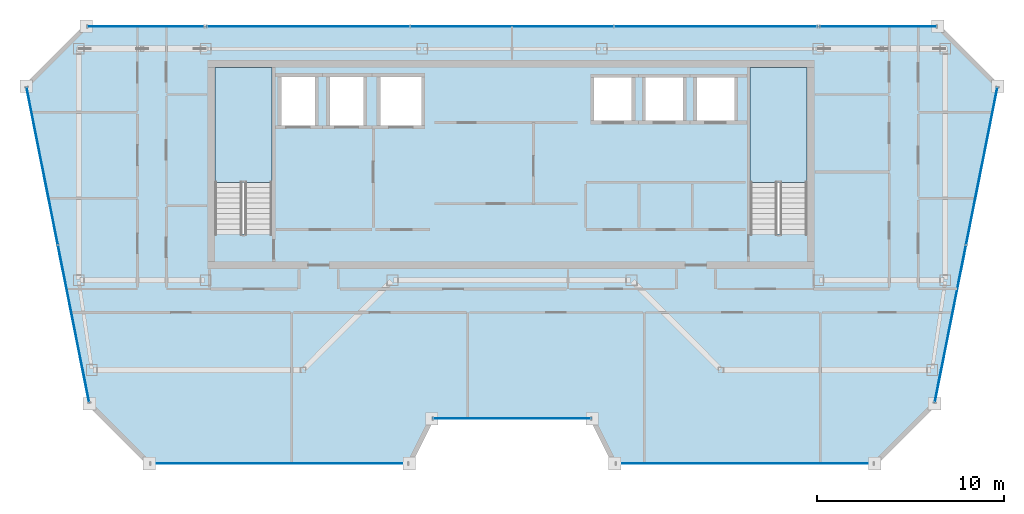
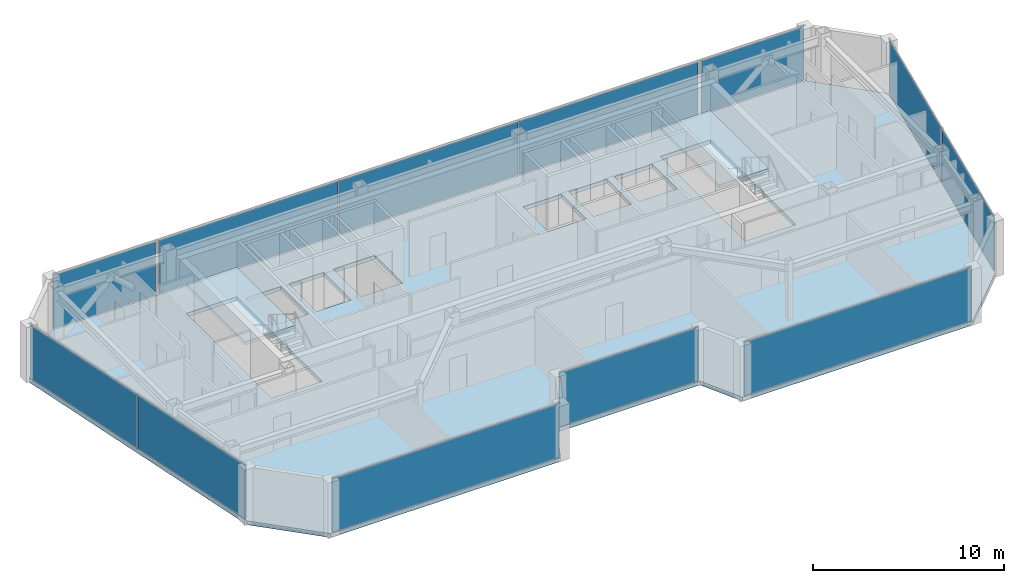
# One storey, part 17 of 24: 12 plates, 3 slabs, 10 elements without a shape of their own.
"""IFC4 building model written with IfcOpenShell, lengths in metres."""

from ifc_helpers import new_model, si_unit, direction, frame, origin, origin_2d, place, context, subcontext, project, spatial, polyline, rectangle, outline, extrude, material, layer, layer_set, type_object, element, aggregate, save


model = new_model("IFC4")

# Units and contexts
model_context = context("Model", 3, precision=1e-05, world=origin(), true_north=direction((0.0, 1.0)))
body_context = subcontext(model_context, "Body", "Model", "MODEL_VIEW")
ifc_project = project(units=[si_unit("LENGTHUNIT", "METRE"), si_unit("AREAUNIT", "SQUARE_METRE"), si_unit("VOLUMEUNIT", "CUBIC_METRE"), si_unit("PLANEANGLEUNIT", "RADIAN"), si_unit("MASSUNIT", "GRAM", prefix="KILO")], contexts=[model_context])

# Site, building, storey
site_placement = place(None, origin())
site = spatial("IfcSite", under=ifc_project, at=site_placement, CompositionType="ELEMENT")
building_placement = place(site_placement, origin())
building = spatial("IfcBuilding", under=site, at=building_placement, Name="Saevonmaru Cultural Tower", CompositionType="ELEMENT")
storey_placement = place(building_placement, frame((0.0, 0.0, 299.0)))
storey = spatial("IfcBuildingStorey", under=building, at=storey_placement, Name="L71", CompositionType="ELEMENT", Elevation=299.0)

# Curtain wall, plate
ifc_material_1 = material(Name="Satin Bronze Anodised Aluminium", Category="aluminium")
curtain_wall_type = type_object("IfcCurtainWallType", Name="CW-TYP-B", PredefinedType="NOTDEFINED", material=ifc_material_1)
curtain_wall_1_placement = place(storey_placement, origin())
curtain_wall_1 = element("IfcCurtainWall", 1, at=curtain_wall_1_placement, inside=storey, type_object=curtain_wall_type, Name="L71 Unitised Curtain Wall E2", PredefinedType="NOTDEFINED")
ifc_material_2 = material(Name="Triple Silver Low-E Insulating Glass", Category="glass")
ifc_layer_1 = layer(ifc_material_2, 0.035888671875, Name="Triple Silver Low-E Insulating Glass")
ifc_layer_set_1 = layer_set([ifc_layer_1], Name="Triple Silver Low-E Insulating Glass")
plate_type_1 = type_object("IfcPlateType", Name="PN-GLZ-IGU", PredefinedType="CURTAIN_PANEL", material=ifc_layer_set_1)
plate_1_placement = place(storey_placement, frame((17.5400390625, 32.60009765625, 0.06689453125), z_axis=(0.0, 0.0, 1.0), x_axis=(1.0, 0.0, 0.0)))
plate_1 = element("IfcPlate", 2, at=plate_1_placement, type_object=plate_type_1, Name="CW-TW-L71-E2 panel 1.1", PredefinedType="CURTAIN_PANEL", context=body_context, shape_type="SweptSolid", body=[
    extrude(rectangle(XDim=13.73095703125, YDim=0.035888671875, at=origin_2d()), origin(), (0.0, 0.0, 1.0), 3.416015625),
])
aggregate(curtain_wall_1, [plate_1])

curtain_wall_2_placement = place(storey_placement, origin())
curtain_wall_2 = element("IfcCurtainWall", 3, at=curtain_wall_2_placement, inside=storey, type_object=curtain_wall_type, Name="L71 Unitised Curtain Wall E4", PredefinedType="NOTDEFINED")
plate_2_placement = place(storey_placement, frame((30.0, 35.0, 0.06689453125), z_axis=(0.0, 0.0, 1.0), x_axis=(1.0, 0.0, 0.0)))
plate_2 = element("IfcPlate", 4, at=plate_2_placement, type_object=plate_type_1, Name="CW-TW-L71-E4 panel 1.1", PredefinedType="CURTAIN_PANEL", context=body_context, shape_type="SweptSolid", body=[
    extrude(rectangle(XDim=8.410888671875, YDim=0.035888671875, at=origin_2d()), origin(), (0.0, 0.0, 1.0), 3.416015625),
])
aggregate(curtain_wall_2, [plate_2])

curtain_wall_3_placement = place(storey_placement, origin())
curtain_wall_3 = element("IfcCurtainWall", 5, at=curtain_wall_3_placement, inside=storey, type_object=curtain_wall_type, Name="L71 Unitised Curtain Wall E6", PredefinedType="NOTDEFINED")
plate_3_placement = place(storey_placement, frame((42.4599609375, 32.60009765625, 0.06689453125), z_axis=(0.0, 0.0, 1.0), x_axis=(1.0, 0.0, 0.0)))
plate_3 = element("IfcPlate", 6, at=plate_3_placement, type_object=plate_type_1, Name="CW-TW-L71-E6 panel 1.1", PredefinedType="CURTAIN_PANEL", context=body_context, shape_type="SweptSolid", body=[
    extrude(rectangle(XDim=13.73095703125, YDim=0.035888671875, at=origin_2d()), origin(), (0.0, 0.0, 1.0), 3.416015625),
])
aggregate(curtain_wall_3, [plate_3])

# Curtain wall, plates
curtain_wall_4_placement = place(storey_placement, origin())
curtain_wall_4 = element("IfcCurtainWall", 7, at=curtain_wall_4_placement, inside=storey, type_object=curtain_wall_type, Name="L71 Unitised Curtain Wall E8", PredefinedType="NOTDEFINED")
plate_4_placement = place(storey_placement, frame((53.470947265625, 40.079345703125, 0.06689453125), z_axis=(0.0, 0.0, 1.0), x_axis=(0.195005484813, 0.980802151758, 0.0)))
plate_4 = element("IfcPlate", 8, at=plate_4_placement, type_object=plate_type_1, Name="CW-TW-L71-E8 panel 1.1", PredefinedType="CURTAIN_PANEL", context=body_context, shape_type="SweptSolid", body=[
    extrude(rectangle(XDim=8.537353515625, YDim=0.035888671875, at=origin_2d()), origin(), (0.0, 0.0, 1.0), 3.416015625),
])
plate_5_placement = place(storey_placement, frame((55.149169921875, 48.5205078125, 0.06689453125), z_axis=(0.0, 0.0, 1.0), x_axis=(0.195005484813, 0.980802151758, 0.0)))
plate_5 = element("IfcPlate", 9, at=plate_5_placement, type_object=plate_type_1, Name="CW-TW-L71-E8 panel 2.1", PredefinedType="CURTAIN_PANEL", context=body_context, shape_type="SweptSolid", body=[
    extrude(rectangle(XDim=8.537353515625, YDim=0.035888671875, at=origin_2d()), origin(), (0.0, 0.0, 1.0), 3.416015625),
])
aggregate(curtain_wall_4, [plate_4, plate_5])

curtain_wall_5_placement = place(storey_placement, origin())
curtain_wall_5 = element("IfcCurtainWall", 10, at=curtain_wall_5_placement, inside=storey, type_object=curtain_wall_type, Name="L71 North Spine Unitised Curtain Wall E10B", PredefinedType="NOTDEFINED")
plate_6_placement = place(storey_placement, frame((40.893310546875, 56.0, 0.06689453125), z_axis=(0.0, 0.0, 1.0), x_axis=(-1.0, 0.0, 0.0)))
plate_6 = element("IfcPlate", 11, at=plate_6_placement, type_object=plate_type_1, Name="CW-TW-L71-E10B panel 1.1", PredefinedType="CURTAIN_PANEL", context=body_context, shape_type="SweptSolid", body=[
    extrude(rectangle(XDim=10.82421875, YDim=0.035888671875, at=origin_2d()), origin(), (0.0, 0.0, 1.0), 3.416015625),
])
plate_7_placement = place(storey_placement, frame((30.0, 56.0, 0.06689453125), z_axis=(0.0, 0.0, 1.0), x_axis=(-1.0, 0.0, 0.0)))
plate_7 = element("IfcPlate", 12, at=plate_7_placement, type_object=plate_type_1, Name="CW-TW-L71-E10B panel 2.1", PredefinedType="CURTAIN_PANEL", context=body_context, shape_type="SweptSolid", body=[
    extrude(rectangle(XDim=10.82421875, YDim=0.035888671875, at=origin_2d()), origin(), (0.0, 0.0, 1.0), 3.416015625),
])
plate_8_placement = place(storey_placement, frame((19.106689453125, 56.0, 0.06689453125), z_axis=(0.0, 0.0, 1.0), x_axis=(-1.0, 0.0, 0.0)))
plate_8 = element("IfcPlate", 13, at=plate_8_placement, type_object=plate_type_1, Name="CW-TW-L71-E10B panel 3.1", PredefinedType="CURTAIN_PANEL", context=body_context, shape_type="SweptSolid", body=[
    extrude(rectangle(XDim=10.82421875, YDim=0.035888671875, at=origin_2d()), origin(), (0.0, 0.0, 1.0), 3.416015625),
])
aggregate(curtain_wall_5, [plate_6, plate_7, plate_8])

curtain_wall_6_placement = place(storey_placement, origin())
curtain_wall_6 = element("IfcCurtainWall", 14, at=curtain_wall_6_placement, inside=storey, type_object=curtain_wall_type, Name="L71 Unitised Curtain Wall E12", PredefinedType="NOTDEFINED")
plate_9_placement = place(storey_placement, frame((4.850830078125, 48.5205078125, 0.06689453125), z_axis=(0.0, 0.0, 1.0), x_axis=(0.195005484813, -0.980802151758, 0.0)))
plate_9 = element("IfcPlate", 15, at=plate_9_placement, type_object=plate_type_1, Name="CW-TW-L71-E12 panel 1.1", PredefinedType="CURTAIN_PANEL", context=body_context, shape_type="SweptSolid", body=[
    extrude(rectangle(XDim=8.537353515625, YDim=0.035888671875, at=origin_2d()), origin(), (0.0, 0.0, 1.0), 3.416015625),
])
plate_10_placement = place(storey_placement, frame((6.529052734375, 40.079345703125, 0.06689453125), z_axis=(0.0, 0.0, 1.0), x_axis=(0.195005484813, -0.980802151758, 0.0)))
plate_10 = element("IfcPlate", 16, at=plate_10_placement, type_object=plate_type_1, Name="CW-TW-L71-E12 panel 2.1", PredefinedType="CURTAIN_PANEL", context=body_context, shape_type="SweptSolid", body=[
    extrude(rectangle(XDim=8.537353515625, YDim=0.035888671875, at=origin_2d()), origin(), (0.0, 0.0, 1.0), 3.416015625),
])
aggregate(curtain_wall_6, [plate_9, plate_10])

# Curtain wall, plate
curtain_wall_7_placement = place(storey_placement, origin())
curtain_wall_7 = element("IfcCurtainWall", 17, at=curtain_wall_7_placement, inside=storey, type_object=curtain_wall_type, Name="L71 East Braced Bay Spandrel Curtain Wall E10A", PredefinedType="NOTDEFINED")
ifc_material_3 = material(Name="Insulated Satin Bronze Aluminium Spandrel Panel", Category="aluminium")
ifc_layer_2 = layer(ifc_material_3, 0.0400390625, Name="Insulated Satin Bronze Aluminium Spandrel Panel")
ifc_layer_set_2 = layer_set([ifc_layer_2], Name="Insulated Satin Bronze Aluminium Spandrel Panel")
plate_type_2 = type_object("IfcPlateType", Name="PN-SPANDREL-BRONZE", PredefinedType="CURTAIN_PANEL", material=ifc_layer_set_2)
plate_11_placement = place(storey_placement, frame((49.60009765625, 56.0, 0.06689453125), z_axis=(0.0, 0.0, 1.0), x_axis=(-1.0, 0.0, 0.0)))
plate_11 = element("IfcPlate", 18, at=plate_11_placement, type_object=plate_type_2, Name="CW-TW-L71-E10A panel 1.1", PredefinedType="CURTAIN_PANEL", context=body_context, shape_type="SweptSolid", body=[
    extrude(rectangle(XDim=6.2109375, YDim=0.035888671875, at=origin_2d()), origin(), (0.0, 0.0, 1.0), 3.416015625),
])
aggregate(curtain_wall_7, [plate_11])

curtain_wall_8_placement = place(storey_placement, origin())
curtain_wall_8 = element("IfcCurtainWall", 19, at=curtain_wall_8_placement, inside=storey, type_object=curtain_wall_type, Name="L71 West Braced Bay Spandrel Curtain Wall E10C", PredefinedType="NOTDEFINED")
plate_12_placement = place(storey_placement, frame((10.39990234375, 56.0, 0.06689453125), z_axis=(0.0, 0.0, 1.0), x_axis=(-1.0, 0.0, 0.0)))
plate_12 = element("IfcPlate", 20, at=plate_12_placement, type_object=plate_type_2, Name="CW-TW-L71-E10C panel 1.1", PredefinedType="CURTAIN_PANEL", context=body_context, shape_type="SweptSolid", body=[
    extrude(rectangle(XDim=6.2109375, YDim=0.035888671875, at=origin_2d()), origin(), (0.0, 0.0, 1.0), 3.416015625),
])
aggregate(curtain_wall_8, [plate_12])

# Slab
ifc_material_4 = material(Name="Concrete C40/50", Category="concrete")
ifc_layer_3 = layer(ifc_material_4, 0.25, Name="Concrete C40/50")
ifc_layer_set_3 = layer_set([ifc_layer_3], Name="Concrete C40/50")
slab_type_1 = type_object("IfcSlabType", Name="SL-FLR-250", PredefinedType="FLOOR", material=ifc_layer_set_3)
slab_1_placement = place(storey_placement, frame((0.0, 0.0, -0.25)))
element("IfcSlab", 21, at=slab_1_placement, inside=storey, type_object=slab_type_1, Name="L71 Tower Structural Floor Slab", PredefinedType="FLOOR", context=body_context, shape_type="SweptSolid", body=[
    extrude(outline(polyline([(7.3798828125, 35.800048828125), (10.580078125, 32.60009765625), (24.5, 32.60009765625), (25.699951171875, 35.0), (34.300048828125, 35.0), (35.5, 32.60009765625), (49.419921875, 32.60009765625), (52.6201171875, 35.800048828125), (56.0, 52.800048828125), (52.800048828125, 56.0), (7.199951171875, 56.0), (4.0, 52.800048828125), (7.3798828125, 35.800048828125)]), holes=[polyline([(45.800048828125, 53.800048828125), (45.800048828125, 44.875), (42.75, 44.875), (42.75, 53.800048828125), (45.800048828125, 53.800048828125)]), polyline([(42.050048828125, 50.800048828125), (39.75, 50.800048828125), (39.75, 53.39990234375), (42.050048828125, 53.39990234375), (42.050048828125, 50.800048828125)]), polyline([(39.300048828125, 50.800048828125), (37.0, 50.800048828125), (37.0, 53.39990234375), (39.300048828125, 53.39990234375), (39.300048828125, 50.800048828125)]), polyline([(36.550048828125, 50.800048828125), (34.25, 50.800048828125), (34.25, 53.39990234375), (36.550048828125, 53.39990234375), (36.550048828125, 50.800048828125)]), polyline([(25.300048828125, 50.550048828125), (22.800048828125, 50.550048828125), (22.800048828125, 53.449951171875), (25.300048828125, 53.449951171875), (25.300048828125, 50.550048828125)]), polyline([(22.199951171875, 50.550048828125), (20.10009765625, 50.550048828125), (20.10009765625, 53.449951171875), (22.199951171875, 53.449951171875), (22.199951171875, 50.550048828125)]), polyline([(19.60009765625, 50.550048828125), (17.5, 50.550048828125), (17.5, 53.449951171875), (19.60009765625, 53.449951171875), (19.60009765625, 50.550048828125)]), polyline([(17.14990234375, 53.800048828125), (17.14990234375, 44.875), (14.10009765625, 44.875), (14.10009765625, 53.800048828125), (17.14990234375, 53.800048828125)])]), origin(), (0.0, 0.0, 1.0), 0.25),
])

# Stair, slab
stair_type = type_object("IfcStairType", Name="STR-DOGLEG-RC", PredefinedType="HALF_TURN_STAIR", material=ifc_material_4)
stair_1_placement = place(storey_placement, origin())
stair_1 = element("IfcStair", 22, at=stair_1_placement, inside=storey, type_object=stair_type, Name="L71 Protected exit stair ST-1", PredefinedType="HALF_TURN_STAIR")
ifc_layer_4 = layer(ifc_material_4, 0.199951171875, Name="Concrete C40/50")
ifc_layer_set_4 = layer_set([ifc_layer_4], Name="Concrete C40/50")
slab_type_2 = type_object("IfcSlabType", Name="SL-STAIR-LANDING", PredefinedType="LANDING", material=ifc_layer_set_4)
slab_2_placement = place(storey_placement, frame((0.0, 0.0, 1.699951171875)))
slab_2 = element("IfcSlab", 23, at=slab_2_placement, type_object=slab_type_2, Name="ST-1-L71 landing 1", PredefinedType="LANDING", context=body_context, shape_type="SweptSolid", body=[
    extrude(outline(polyline([(17.14990234375, 47.64990234375), (17.14990234375, 53.800048828125), (14.10009765625, 53.800048828125), (14.10009765625, 47.64990234375), (17.14990234375, 47.64990234375)])), origin(), (0.0, 0.0, 1.0), 0.199951171875),
])
aggregate(stair_1, [slab_2])

stair_2_placement = place(storey_placement, origin())
stair_2 = element("IfcStair", 24, at=stair_2_placement, inside=storey, type_object=stair_type, Name="L71 Protected exit stair ST-2", PredefinedType="HALF_TURN_STAIR")
slab_3_placement = place(storey_placement, frame((0.0, 0.0, 1.699951171875)))
slab_3 = element("IfcSlab", 25, at=slab_3_placement, type_object=slab_type_2, Name="ST-2-L71 landing 1", PredefinedType="LANDING", context=body_context, shape_type="SweptSolid", body=[
    extrude(outline(polyline([(45.800048828125, 47.64990234375), (45.800048828125, 53.800048828125), (42.75, 53.800048828125), (42.75, 47.64990234375), (45.800048828125, 47.64990234375)])), origin(), (0.0, 0.0, 1.0), 0.199951171875),
])
aggregate(stair_2, [slab_3])

save(model, "model.ifc")
